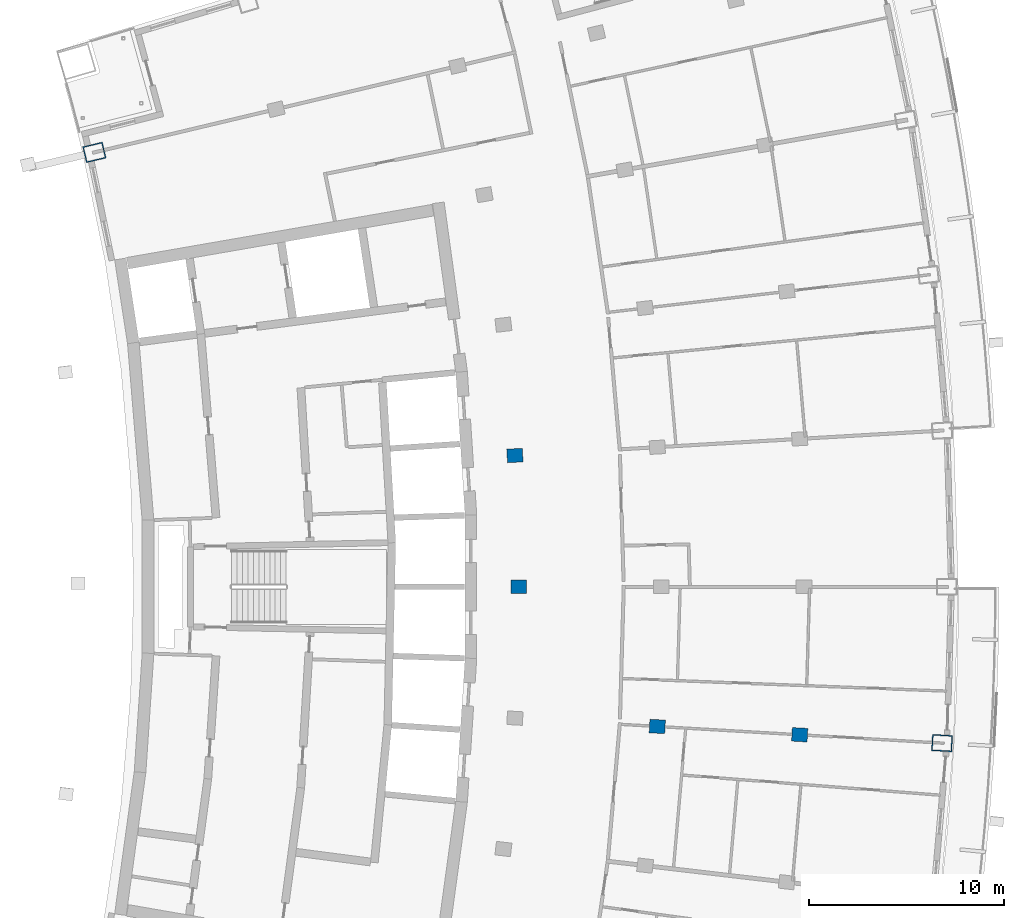
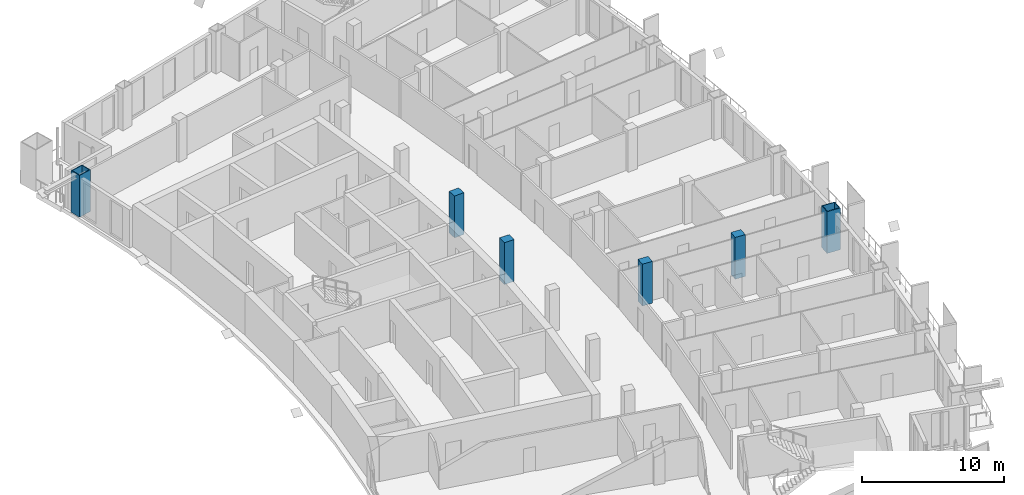
# One storey, part 4 of 17: 6 columns.
"""IFC4 building model written with IfcOpenShell, lengths in metres."""

from ifc_helpers import new_model, si_unit, direction, frame, origin, origin_2d, place, context, subcontext, project, spatial, rectangle, hollow_rectangle, extrude, material, material_profile, profile_set, type_object, element, save


model = new_model("IFC4")

# Units and contexts
model_context = context("Model", 3, precision=1e-05, world=origin(), true_north=direction((0.0, 1.0)))
body_context = subcontext(model_context, "Body", "Model", "MODEL_VIEW")
ifc_project = project(units=[si_unit("LENGTHUNIT", "METRE"), si_unit("AREAUNIT", "SQUARE_METRE"), si_unit("VOLUMEUNIT", "CUBIC_METRE"), si_unit("PLANEANGLEUNIT", "RADIAN"), si_unit("MASSUNIT", "GRAM", prefix="KILO")], contexts=[model_context])

# Site, building, storey
site_placement = place(None, origin())
site = spatial("IfcSite", under=ifc_project, at=site_placement, CompositionType="ELEMENT")
building_placement = place(site_placement, origin())
building = spatial("IfcBuilding", under=site, at=building_placement, Name="Alderwake Tower", CompositionType="ELEMENT")
storey_placement = place(building_placement, frame((0.0, 0.0, 218.0)))
storey = spatial("IfcBuildingStorey", under=building, at=storey_placement, Name="L54", CompositionType="ELEMENT", Elevation=218.0)

# Columns
ifc_material_1 = material(Name="Concrete C70/85", Category="concrete")
ifc_material_profile_1 = material_profile(ifc_material_1, rectangle(XDim=0.699951171875, YDim=0.800048828125, at=origin_2d()), Name="RC 800X700")
ifc_profile_set_1 = profile_set([ifc_material_profile_1], Name="Concrete C70/85")
column_type_1 = type_object("IfcColumnType", Name="Interior column Z4", PredefinedType="COLUMN", material=ifc_profile_set_1)
for number, where, z_axis, x_axis, name in (
    (1, (42.923828125, 53.8212890625, 0.0), (0.0, 0.0, 1.0), (0.058301061284, 0.998299046505, 0.0), "Column R06-C3"),
    (2, (50.244873046875, 53.393798828125, 0.0), (0.0, 0.0, 1.0), (0.058299318924, 0.998299148258, 0.0), "Column R06-C4"),
    (3, (35.800048828125, 61.0, 0.0), (0.0, 0.0, 1.0), (0.0, 1.0, 0.0), "Column R07-C2"),
    (4, (35.60302734375, 67.751220703125, 0.0), (0.0, 0.0, 1.0), (-0.058301061284, 0.998299046505, 0.0), "Column R08-C2"),
):
    element("IfcColumn", number, at=place(storey_placement, frame(where, z_axis=z_axis, x_axis=x_axis)), inside=storey, type_object=column_type_1, Name=name, PredefinedType="COLUMN", context=body_context, shape_type="SweptSolid", body=[
        extrude(rectangle(XDim=0.699951171875, YDim=0.800048828125, at=origin_2d()), origin(), (0.0, 0.0, 1.0), 3.60009765625),
    ])
ifc_material_2 = material(Name="Steel ASTM A572 Grade 50 concrete filled C70/85", Category="concrete")
ifc_material_profile_2 = material_profile(ifc_material_2, hollow_rectangle(XDim=0.85009765625, YDim=1.050048828125, WallThickness=0.054931640625, at=origin_2d()), Name="BOX 1050X850X55")
ifc_profile_set_2 = profile_set([ifc_material_profile_2], Name="Steel ASTM A572 Grade 50 concrete filled C70/85")
column_type_2 = type_object("IfcColumnType", Name="Perimeter column Z4", PredefinedType="COLUMN", material=ifc_profile_set_2)
for number, where, z_axis, x_axis, name in (
    (5, (57.565673828125, 52.96630859375, 0.0), (0.0, 0.0, 1.0), (0.058301061284, 0.998299046505, 0.0), "Column R06-C5"),
    (6, (13.982177734375, 83.3359375, 0.0), (0.0, 0.0, 1.0), (-0.231221547198, 0.972901123502, 0.0), "Column R11-C0"),
):
    element("IfcColumn", number, at=place(storey_placement, frame(where, z_axis=z_axis, x_axis=x_axis)), inside=storey, type_object=column_type_2, Name=name, PredefinedType="COLUMN", context=body_context, shape_type="SweptSolid", body=[
        extrude(hollow_rectangle(XDim=0.85009765625, YDim=1.050048828125, WallThickness=0.054931640625, at=origin_2d()), origin(), (0.0, 0.0, 1.0), 3.60009765625),
    ])

save(model, "model.ifc")
